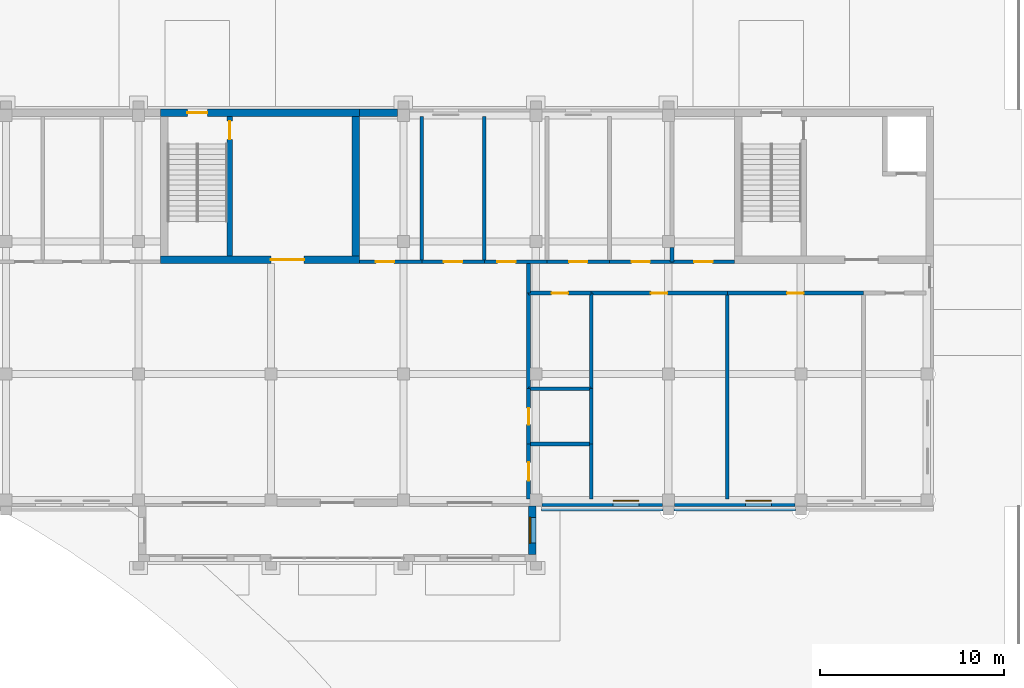
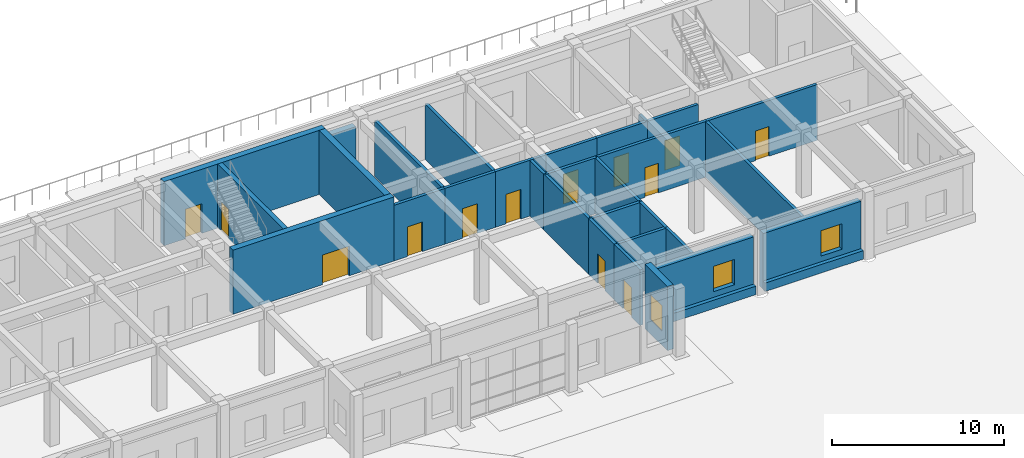
# One storey, part 101 of 131: 32 walls, 14 doors, 3 windows, 17 openings.
"""IFC4 building model written with IfcOpenShell, lengths in metres."""

from ifc_helpers import new_model, si_unit, direction, frame, frame_2d, origin, place, context, subcontext, project, spatial, rectangle, extrude, material, layer, layer_set, type_object, element, fill, save


model = new_model("IFC4")

# Units and contexts
model_context = context("Model", 3, precision=1e-05, world=origin(), true_north=direction((0.0, 1.0)))
body_context = subcontext(model_context, "Body", "Model", "MODEL_VIEW")
ifc_project = project(units=[si_unit("LENGTHUNIT", "METRE"), si_unit("AREAUNIT", "SQUARE_METRE"), si_unit("VOLUMEUNIT", "CUBIC_METRE"), si_unit("PLANEANGLEUNIT", "RADIAN"), si_unit("MASSUNIT", "GRAM", prefix="KILO")], contexts=[model_context])

# Site, building, storey
site_placement = place(None, origin())
site = spatial("IfcSite", under=ifc_project, at=site_placement, CompositionType="ELEMENT")
building_placement = place(site_placement, origin())
building = spatial("IfcBuilding", under=site, at=building_placement, Name="Alderwick Market Hall", CompositionType="ELEMENT")
storey_placement = place(building_placement, frame((0.0, 0.0, 4.800048828125)))
storey = spatial("IfcBuildingStorey", under=building, at=storey_placement, Name="L00", CompositionType="ELEMENT", Elevation=4.800048828125)

# Wall, opening, door
ifc_material_1 = material(Name="Concrete 5000 psi (f'c 35 MPa)", Category="concrete")
ifc_layer_1 = layer(ifc_material_1, 0.39990234375)
ifc_layer_set_1 = layer_set([ifc_layer_1], Name="Concrete 5000 psi (f'c 35 MPa)")
wall_type_1 = type_object("IfcWallType", Name="F Core Wall Concrete 5000 psi 400", PredefinedType="SHEAR", material=ifc_layer_set_1)
wall_1_placement = place(storey_placement, frame((188.39990234375, 151.0, 0.0), z_axis=(0.0, 0.0, 1.0), x_axis=(1.0, 0.0, 0.0)))
wall_1 = element("IfcWall", 1, at=wall_1_placement, inside=storey, type_object=wall_type_1, Name="F.wall.L00.fac.back.06", PredefinedType="SHEAR", context=body_context, shape_type="SweptSolid", body=[
    extrude(rectangle(XDim=10.800048828125, YDim=0.39990234375, at=frame_2d((5.39990234375, 0.0))), origin(), (0.0, 0.0, 1.0), 4.550048828125),
])
opening_1_placement = place(wall_1_placement, frame((1.449951171875, 0.0, 0.0)))
opening_1 = element("IfcOpeningElement", 2, at=opening_1_placement, cuts=wall_1, Name="Opening F-D039", PredefinedType="OPENING", context=body_context, shape_type="SweptSolid", body=[
    extrude(rectangle(XDim=1.10009765625, YDim=2.10009765625, at=frame_2d((0.550048828125, 1.050048828125))), frame((0.0, 0.2099609375, 0.0), z_axis=(0.0, -1.0, 0.0), x_axis=(1.0, 0.0, 0.0)), (0.0, 0.0, 1.0), 0.419921875),
])
ifc_material_2 = material(Name="Steel, insulated", Category="steel")
door_type_1 = type_object("IfcDoorType", Name="F Exit Door FD60 1100x2100", OperationType="NOTDEFINED", PredefinedType="DOOR", material=ifc_material_2)
door_1_placement = place(opening_1_placement, origin())
door_1 = element("IfcDoor", 3, at=door_1_placement, inside=storey, type_object=door_type_1, Name="F.door.L00.039", OperationType="NOTDEFINED", OverallHeight=2.10009765625, OverallWidth=1.10009765625, PredefinedType="DOOR", context=body_context, shape_type="SweptSolid", body=[
    extrude(rectangle(XDim=1.10009765625, YDim=2.10009765625, at=frame_2d((0.550048828125, 1.050048828125))), frame((0.0, 0.02490234375, 0.0), z_axis=(0.0, -1.0, 0.0), x_axis=(1.0, 0.0, 0.0)), (0.0, 0.0, 1.0), 0.050048828125),
])
fill(opening_1, door_1)

wall_2_placement = place(storey_placement, frame((188.39990234375, 143.0, 0.0), z_axis=(0.0, 0.0, 1.0), x_axis=(1.0, 0.0, 0.0)))
wall_2 = element("IfcWall", 4, at=wall_2_placement, inside=storey, type_object=wall_type_1, Name="F.wall.L00.core.B.front.01", PredefinedType="SHEAR", context=body_context, shape_type="SweptSolid", body=[
    extrude(rectangle(XDim=10.800048828125, YDim=0.39990234375, at=frame_2d((5.39990234375, 0.0))), origin(), (0.0, 0.0, 1.0), 4.550048828125),
])
opening_2_placement = place(wall_2_placement, frame((6.0, 0.0, 0.0)))
opening_2 = element("IfcOpeningElement", 5, at=opening_2_placement, cuts=wall_2, Name="Opening F-D038", PredefinedType="OPENING", context=body_context, shape_type="SweptSolid", body=[
    extrude(rectangle(XDim=1.800048828125, YDim=2.10009765625, at=frame_2d((0.89990234375, 1.050048828125))), frame((0.0, 0.2099609375, 0.0), z_axis=(0.0, -1.0, 0.0), x_axis=(1.0, 0.0, 0.0)), (0.0, 0.0, 1.0), 0.419921875),
])
door_type_2 = type_object("IfcDoorType", Name="F Fire Door Pair FD90 1800x2100", OperationType="NOTDEFINED", PredefinedType="DOOR", material=ifc_material_2)
door_2_placement = place(opening_2_placement, origin())
door_2 = element("IfcDoor", 6, at=door_2_placement, inside=storey, type_object=door_type_2, Name="F.door.L00.038", OperationType="NOTDEFINED", OverallHeight=2.10009765625, OverallWidth=1.800048828125, PredefinedType="DOOR", context=body_context, shape_type="SweptSolid", body=[
    extrude(rectangle(XDim=1.800048828125, YDim=2.10009765625, at=frame_2d((0.89990234375, 1.050048828125))), frame((0.0, 0.02490234375, 0.0), z_axis=(0.0, -1.0, 0.0), x_axis=(1.0, 0.0, 0.0)), (0.0, 0.0, 1.0), 0.050048828125),
])
fill(opening_2, door_2)

# Walls
wall_3_placement = place(storey_placement, frame((199.0, 143.199951171875, 0.0), z_axis=(0.0, 0.0, 1.0), x_axis=(0.0, 1.0, 0.0)))
element("IfcWall", 7, at=wall_3_placement, inside=storey, type_object=wall_type_1, Name="F.wall.L00.core.B.east.01", PredefinedType="SHEAR", context=body_context, shape_type="SweptSolid", body=[
    extrude(rectangle(XDim=7.60009765625, YDim=0.39990234375, at=frame_2d((3.800048828125, 0.0))), origin(), (0.0, 0.0, 1.0), 4.550048828125),
])
ifc_material_3 = material(Name="Gypsum board on steel studs", Category="steel")
ifc_layer_2 = layer(ifc_material_3, 0.199951171875)
ifc_layer_set_2 = layer_set([ifc_layer_2], Name="Gypsum board on steel studs")
wall_type_2 = type_object("IfcWallType", Name="F Partition Wall 200", PredefinedType="PARTITIONING", material=ifc_layer_set_2)
for number, where, z_axis, x_axis, name in (
    (8, (208.39990234375, 133.0, 0.0), (0.0, 0.0, 1.0), (1.0, 0.0, 0.0), "F.wall.L00.part.001"),
    (9, (208.39990234375, 136.0, 0.0), (0.0, 0.0, 1.0), (1.0, 0.0, 0.0), "F.wall.L00.part.002"),
):
    element("IfcWall", number, at=place(storey_placement, frame(where, z_axis=z_axis, x_axis=x_axis)), inside=storey, type_object=wall_type_2, Name=name, PredefinedType="PARTITIONING", context=body_context, shape_type="SweptSolid", body=[
        extrude(rectangle(XDim=3.400146484375, YDim=0.199951171875, at=frame_2d((1.7001953125, 0.0))), origin(), (0.0, 0.0, 1.0), 3.949951171875),
    ])

# Wall, opening, door
wall_4_placement = place(storey_placement, frame((208.39990234375, 141.199951171875, 0.0), z_axis=(0.0, 0.0, 1.0), x_axis=(1.0, 0.0, 0.0)))
wall_4 = element("IfcWall", 10, at=wall_4_placement, inside=storey, type_object=wall_type_2, Name="F.wall.L00.part.003", PredefinedType="PARTITIONING", context=body_context, shape_type="SweptSolid", body=[
    extrude(rectangle(XDim=3.400146484375, YDim=0.199951171875, at=frame_2d((1.7001953125, 0.0))), origin(), (0.0, 0.0, 1.0), 3.949951171875),
])
opening_3_placement = place(wall_4_placement, frame((1.25, 0.0, 0.0)))
opening_3 = element("IfcOpeningElement", 11, at=opening_3_placement, cuts=wall_4, Name="Opening F-D046", PredefinedType="OPENING", context=body_context, shape_type="SweptSolid", body=[
    extrude(rectangle(XDim=0.89990234375, YDim=2.10009765625, at=frame_2d((0.449951171875, 1.050048828125))), frame((0.0, 0.10986328125, 0.0), z_axis=(0.0, -1.0, 0.0), x_axis=(1.0, 0.0, 0.0)), (0.0, 0.0, 1.0), 0.219970703125),
])
ifc_material_4 = material(Name="Timber, solid core", Category="wood")
door_type_3 = type_object("IfcDoorType", Name="F Door 900x2100", OperationType="NOTDEFINED", PredefinedType="DOOR", material=ifc_material_4)
door_3_placement = place(opening_3_placement, origin())
door_3 = element("IfcDoor", 12, at=door_3_placement, inside=storey, type_object=door_type_3, Name="F.door.L00.046", OperationType="NOTDEFINED", OverallHeight=2.10009765625, OverallWidth=0.89990234375, PredefinedType="DOOR", context=body_context, shape_type="SweptSolid", body=[
    extrude(rectangle(XDim=0.89990234375, YDim=2.10009765625, at=frame_2d((0.449951171875, 1.050048828125))), frame((0.0, 0.02490234375, 0.0), z_axis=(0.0, -1.0, 0.0), x_axis=(1.0, 0.0, 0.0)), (0.0, 0.0, 1.0), 0.050048828125),
])
fill(opening_3, door_3)

wall_5_placement = place(storey_placement, frame((211.800048828125, 141.199951171875, 0.0), z_axis=(0.0, 0.0, 1.0), x_axis=(1.0, 0.0, 0.0)))
wall_5 = element("IfcWall", 13, at=wall_5_placement, inside=storey, type_object=wall_type_2, Name="F.wall.L00.part.004", PredefinedType="PARTITIONING", context=body_context, shape_type="SweptSolid", body=[
    extrude(rectangle(XDim=7.39990234375, YDim=0.199951171875, at=frame_2d((3.699951171875, 0.0))), origin(), (0.0, 0.0, 1.0), 3.949951171875),
])
opening_4_placement = place(wall_5_placement, frame((3.25, 0.0, 0.0)))
opening_4 = element("IfcOpeningElement", 14, at=opening_4_placement, cuts=wall_5, Name="Opening F-D047", PredefinedType="OPENING", context=body_context, shape_type="SweptSolid", body=[
    extrude(rectangle(XDim=0.89990234375, YDim=2.10009765625, at=frame_2d((0.449951171875, 1.050048828125))), frame((0.0, 0.10986328125, 0.0), z_axis=(0.0, -1.0, 0.0), x_axis=(1.0, 0.0, 0.0)), (0.0, 0.0, 1.0), 0.219970703125),
])
door_4_placement = place(opening_4_placement, origin())
door_4 = element("IfcDoor", 15, at=door_4_placement, inside=storey, type_object=door_type_3, Name="F.door.L00.047", OperationType="NOTDEFINED", OverallHeight=2.10009765625, OverallWidth=0.89990234375, PredefinedType="DOOR", context=body_context, shape_type="SweptSolid", body=[
    extrude(rectangle(XDim=0.89990234375, YDim=2.10009765625, at=frame_2d((0.449951171875, 1.050048828125))), frame((0.0, 0.02490234375, 0.0), z_axis=(0.0, -1.0, 0.0), x_axis=(1.0, 0.0, 0.0)), (0.0, 0.0, 1.0), 0.050048828125),
])
fill(opening_4, door_4)

wall_6_placement = place(storey_placement, frame((219.199951171875, 141.199951171875, 0.0), z_axis=(0.0, 0.0, 1.0), x_axis=(1.0, 0.0, 0.0)))
wall_6 = element("IfcWall", 16, at=wall_6_placement, inside=storey, type_object=wall_type_2, Name="F.wall.L00.part.005", PredefinedType="PARTITIONING", context=body_context, shape_type="SweptSolid", body=[
    extrude(rectangle(XDim=7.400146484375, YDim=0.199951171875, at=frame_2d((3.7001953125, 0.0))), origin(), (0.0, 0.0, 1.0), 3.949951171875),
])
opening_5_placement = place(wall_6_placement, frame((3.25, 0.0, 0.0)))
opening_5 = element("IfcOpeningElement", 17, at=opening_5_placement, cuts=wall_6, Name="Opening F-D048", PredefinedType="OPENING", context=body_context, shape_type="SweptSolid", body=[
    extrude(rectangle(XDim=0.89990234375, YDim=2.10009765625, at=frame_2d((0.449951171875, 1.050048828125))), frame((0.0, 0.10986328125, 0.0), z_axis=(0.0, -1.0, 0.0), x_axis=(1.0, 0.0, 0.0)), (0.0, 0.0, 1.0), 0.219970703125),
])
door_5_placement = place(opening_5_placement, origin())
door_5 = element("IfcDoor", 18, at=door_5_placement, inside=storey, type_object=door_type_3, Name="F.door.L00.048", OperationType="NOTDEFINED", OverallHeight=2.10009765625, OverallWidth=0.89990234375, PredefinedType="DOOR", context=body_context, shape_type="SweptSolid", body=[
    extrude(rectangle(XDim=0.89990234375, YDim=2.10009765625, at=frame_2d((0.449951171875, 1.050048828125))), frame((0.0, 0.02490234375, 0.0), z_axis=(0.0, -1.0, 0.0), x_axis=(1.0, 0.0, 0.0)), (0.0, 0.0, 1.0), 0.050048828125),
])
fill(opening_5, door_5)

wall_7_placement = place(storey_placement, frame((199.199951171875, 142.89990234375, 0.0), z_axis=(0.0, 0.0, 1.0), x_axis=(1.0, 0.0, 0.0)))
wall_7 = element("IfcWall", 19, at=wall_7_placement, inside=storey, type_object=wall_type_2, Name="F.wall.L00.part.013", PredefinedType="PARTITIONING", context=body_context, shape_type="SweptSolid", body=[
    extrude(rectangle(XDim=3.400146484375, YDim=0.199951171875, at=frame_2d((1.7001953125, 0.0))), origin(), (0.0, 0.0, 1.0), 3.949951171875),
])
opening_6_placement = place(wall_7_placement, frame((0.89990234375, 0.0, 0.0)))
opening_6 = element("IfcOpeningElement", 20, at=opening_6_placement, cuts=wall_7, Name="Opening F-D056", PredefinedType="OPENING", context=body_context, shape_type="SweptSolid", body=[
    extrude(rectangle(XDim=1.0, YDim=2.10009765625, at=frame_2d((0.5, 1.050048828125))), frame((0.0, 0.10986328125, 0.0), z_axis=(0.0, -1.0, 0.0), x_axis=(1.0, 0.0, 0.0)), (0.0, 0.0, 1.0), 0.219970703125),
])
door_type_4 = type_object("IfcDoorType", Name="F Door 1000x2100", OperationType="NOTDEFINED", PredefinedType="DOOR", material=ifc_material_4)
door_6_placement = place(opening_6_placement, origin())
door_6 = element("IfcDoor", 21, at=door_6_placement, inside=storey, type_object=door_type_4, Name="F.door.L00.056", OperationType="NOTDEFINED", OverallHeight=2.10009765625, OverallWidth=1.0, PredefinedType="DOOR", context=body_context, shape_type="SweptSolid", body=[
    extrude(rectangle(XDim=1.0, YDim=2.10009765625, at=frame_2d((0.5, 1.050048828125))), frame((0.0, 0.02490234375, 0.0), z_axis=(0.0, -1.0, 0.0), x_axis=(1.0, 0.0, 0.0)), (0.0, 0.0, 1.0), 0.050048828125),
])
fill(opening_6, door_6)

wall_8_placement = place(storey_placement, frame((202.60009765625, 142.89990234375, 0.0), z_axis=(0.0, 0.0, 1.0), x_axis=(1.0, 0.0, 0.0)))
wall_8 = element("IfcWall", 22, at=wall_8_placement, inside=storey, type_object=wall_type_2, Name="F.wall.L00.part.014", PredefinedType="PARTITIONING", context=body_context, shape_type="SweptSolid", body=[
    extrude(rectangle(XDim=3.39990234375, YDim=0.199951171875, at=frame_2d((1.699951171875, 0.0))), origin(), (0.0, 0.0, 1.0), 3.949951171875),
])
opening_7_placement = place(wall_8_placement, frame((1.199951171875, 0.0, 0.0)))
opening_7 = element("IfcOpeningElement", 23, at=opening_7_placement, cuts=wall_8, Name="Opening F-D057", PredefinedType="OPENING", context=body_context, shape_type="SweptSolid", body=[
    extrude(rectangle(XDim=1.0, YDim=2.10009765625, at=frame_2d((0.5, 1.050048828125))), frame((0.0, 0.10986328125, 0.0), z_axis=(0.0, -1.0, 0.0), x_axis=(1.0, 0.0, 0.0)), (0.0, 0.0, 1.0), 0.219970703125),
])
door_7_placement = place(opening_7_placement, origin())
door_7 = element("IfcDoor", 24, at=door_7_placement, inside=storey, type_object=door_type_4, Name="F.door.L00.057", OperationType="NOTDEFINED", OverallHeight=2.10009765625, OverallWidth=1.0, PredefinedType="DOOR", context=body_context, shape_type="SweptSolid", body=[
    extrude(rectangle(XDim=1.0, YDim=2.10009765625, at=frame_2d((0.5, 1.050048828125))), frame((0.0, 0.02490234375, 0.0), z_axis=(0.0, -1.0, 0.0), x_axis=(1.0, 0.0, 0.0)), (0.0, 0.0, 1.0), 0.050048828125),
])
fill(opening_7, door_7)

wall_9_placement = place(storey_placement, frame((206.0, 142.89990234375, 0.0), z_axis=(0.0, 0.0, 1.0), x_axis=(1.0, 0.0, 0.0)))
wall_9 = element("IfcWall", 25, at=wall_9_placement, inside=storey, type_object=wall_type_2, Name="F.wall.L00.part.015", PredefinedType="PARTITIONING", context=body_context, shape_type="SweptSolid", body=[
    extrude(rectangle(XDim=3.39990234375, YDim=0.199951171875, at=frame_2d((1.699951171875, 0.0))), origin(), (0.0, 0.0, 1.0), 3.949951171875),
])
opening_8_placement = place(wall_9_placement, frame((0.699951171875, 0.0, 0.0)))
opening_8 = element("IfcOpeningElement", 26, at=opening_8_placement, cuts=wall_9, Name="Opening F-D058", PredefinedType="OPENING", context=body_context, shape_type="SweptSolid", body=[
    extrude(rectangle(XDim=1.0, YDim=2.10009765625, at=frame_2d((0.5, 1.050048828125))), frame((0.0, 0.10986328125, 0.0), z_axis=(0.0, -1.0, 0.0), x_axis=(1.0, 0.0, 0.0)), (0.0, 0.0, 1.0), 0.219970703125),
])
door_8_placement = place(opening_8_placement, origin())
door_8 = element("IfcDoor", 27, at=door_8_placement, inside=storey, type_object=door_type_4, Name="F.door.L00.058", OperationType="NOTDEFINED", OverallHeight=2.10009765625, OverallWidth=1.0, PredefinedType="DOOR", context=body_context, shape_type="SweptSolid", body=[
    extrude(rectangle(XDim=1.0, YDim=2.10009765625, at=frame_2d((0.5, 1.050048828125))), frame((0.0, 0.02490234375, 0.0), z_axis=(0.0, -1.0, 0.0), x_axis=(1.0, 0.0, 0.0)), (0.0, 0.0, 1.0), 0.050048828125),
])
fill(opening_8, door_8)

wall_10_placement = place(storey_placement, frame((209.39990234375, 142.89990234375, 0.0), z_axis=(0.0, 0.0, 1.0), x_axis=(1.0, 0.0, 0.0)))
wall_10 = element("IfcWall", 28, at=wall_10_placement, inside=storey, type_object=wall_type_2, Name="F.wall.L00.part.016", PredefinedType="PARTITIONING", context=body_context, shape_type="SweptSolid", body=[
    extrude(rectangle(XDim=3.400146484375, YDim=0.199951171875, at=frame_2d((1.7001953125, 0.0))), origin(), (0.0, 0.0, 1.0), 3.949951171875),
])
opening_9_placement = place(wall_10_placement, frame((1.199951171875, 0.0, 0.0)))
opening_9 = element("IfcOpeningElement", 29, at=opening_9_placement, cuts=wall_10, Name="Opening F-D059", PredefinedType="OPENING", context=body_context, shape_type="SweptSolid", body=[
    extrude(rectangle(XDim=1.0, YDim=2.10009765625, at=frame_2d((0.5, 1.050048828125))), frame((0.0, 0.10986328125, 0.0), z_axis=(0.0, -1.0, 0.0), x_axis=(1.0, 0.0, 0.0)), (0.0, 0.0, 1.0), 0.219970703125),
])
door_9_placement = place(opening_9_placement, origin())
door_9 = element("IfcDoor", 30, at=door_9_placement, inside=storey, type_object=door_type_4, Name="F.door.L00.059", OperationType="NOTDEFINED", OverallHeight=2.10009765625, OverallWidth=1.0, PredefinedType="DOOR", context=body_context, shape_type="SweptSolid", body=[
    extrude(rectangle(XDim=1.0, YDim=2.10009765625, at=frame_2d((0.5, 1.050048828125))), frame((0.0, 0.02490234375, 0.0), z_axis=(0.0, -1.0, 0.0), x_axis=(1.0, 0.0, 0.0)), (0.0, 0.0, 1.0), 0.050048828125),
])
fill(opening_9, door_9)

wall_11_placement = place(storey_placement, frame((212.800048828125, 142.89990234375, 0.0), z_axis=(0.0, 0.0, 1.0), x_axis=(1.0, 0.0, 0.0)))
wall_11 = element("IfcWall", 31, at=wall_11_placement, inside=storey, type_object=wall_type_2, Name="F.wall.L00.part.017", PredefinedType="PARTITIONING", context=body_context, shape_type="SweptSolid", body=[
    extrude(rectangle(XDim=3.39990234375, YDim=0.199951171875, at=frame_2d((1.699951171875, 0.0))), origin(), (0.0, 0.0, 1.0), 3.949951171875),
])
opening_10_placement = place(wall_11_placement, frame((1.199951171875, 0.0, 0.0)))
opening_10 = element("IfcOpeningElement", 32, at=opening_10_placement, cuts=wall_11, Name="Opening F-D060", PredefinedType="OPENING", context=body_context, shape_type="SweptSolid", body=[
    extrude(rectangle(XDim=1.0, YDim=2.10009765625, at=frame_2d((0.5, 1.050048828125))), frame((0.0, 0.10986328125, 0.0), z_axis=(0.0, -1.0, 0.0), x_axis=(1.0, 0.0, 0.0)), (0.0, 0.0, 1.0), 0.219970703125),
])
door_10_placement = place(opening_10_placement, origin())
door_10 = element("IfcDoor", 33, at=door_10_placement, inside=storey, type_object=door_type_4, Name="F.door.L00.060", OperationType="NOTDEFINED", OverallHeight=2.10009765625, OverallWidth=1.0, PredefinedType="DOOR", context=body_context, shape_type="SweptSolid", body=[
    extrude(rectangle(XDim=1.0, YDim=2.10009765625, at=frame_2d((0.5, 1.050048828125))), frame((0.0, 0.02490234375, 0.0), z_axis=(0.0, -1.0, 0.0), x_axis=(1.0, 0.0, 0.0)), (0.0, 0.0, 1.0), 0.050048828125),
])
fill(opening_10, door_10)

wall_12_placement = place(storey_placement, frame((216.199951171875, 142.89990234375, 0.0), z_axis=(0.0, 0.0, 1.0), x_axis=(1.0, 0.0, 0.0)))
wall_12 = element("IfcWall", 34, at=wall_12_placement, inside=storey, type_object=wall_type_2, Name="F.wall.L00.part.018", PredefinedType="PARTITIONING", context=body_context, shape_type="SweptSolid", body=[
    extrude(rectangle(XDim=3.400146484375, YDim=0.199951171875, at=frame_2d((1.7001953125, 0.0))), origin(), (0.0, 0.0, 1.0), 3.949951171875),
])
opening_11_placement = place(wall_12_placement, frame((1.199951171875, 0.0, 0.0)))
opening_11 = element("IfcOpeningElement", 35, at=opening_11_placement, cuts=wall_12, Name="Opening F-D061", PredefinedType="OPENING", context=body_context, shape_type="SweptSolid", body=[
    extrude(rectangle(XDim=1.0, YDim=2.10009765625, at=frame_2d((0.5, 1.050048828125))), frame((0.0, 0.10986328125, 0.0), z_axis=(0.0, -1.0, 0.0), x_axis=(1.0, 0.0, 0.0)), (0.0, 0.0, 1.0), 0.219970703125),
])
door_11_placement = place(opening_11_placement, origin())
door_11 = element("IfcDoor", 36, at=door_11_placement, inside=storey, type_object=door_type_4, Name="F.door.L00.061", OperationType="NOTDEFINED", OverallHeight=2.10009765625, OverallWidth=1.0, PredefinedType="DOOR", context=body_context, shape_type="SweptSolid", body=[
    extrude(rectangle(XDim=1.0, YDim=2.10009765625, at=frame_2d((0.5, 1.050048828125))), frame((0.0, 0.02490234375, 0.0), z_axis=(0.0, -1.0, 0.0), x_axis=(1.0, 0.0, 0.0)), (0.0, 0.0, 1.0), 0.050048828125),
])
fill(opening_11, door_11)

# Walls
for number, where, z_axis, x_axis, name in (
    (37, (202.60009765625, 142.89990234375, 0.0), (0.0, 0.0, 1.0), (0.0, 1.0, 0.0), "F.wall.L00.part.024"),
    (38, (206.0, 142.89990234375, 0.0), (0.0, 0.0, 1.0), (0.0, 1.0, 0.0), "F.wall.L00.part.025"),
):
    element("IfcWall", number, at=place(storey_placement, frame(where, z_axis=z_axis, x_axis=x_axis)), inside=storey, type_object=wall_type_2, Name=name, PredefinedType="PARTITIONING", context=body_context, shape_type="SweptSolid", body=[
        extrude(rectangle(XDim=7.900146484375, YDim=0.199951171875, at=frame_2d((3.9501953125, 0.0))), origin(), (0.0, 0.0, 1.0), 3.949951171875),
    ])

# Wall, opening, door
wall_13_placement = place(storey_placement, frame((208.39990234375, 130.0, 0.0), z_axis=(0.0, 0.0, 1.0), x_axis=(0.0, 1.0, 0.0)))
wall_13 = element("IfcWall", 39, at=wall_13_placement, inside=storey, type_object=wall_type_2, Name="F.wall.L00.part.026", PredefinedType="PARTITIONING", context=body_context, shape_type="SweptSolid", body=[
    extrude(rectangle(XDim=3.0, YDim=0.199951171875, at=frame_2d((1.5, 0.0))), origin(), (0.0, 0.0, 1.0), 3.949951171875),
])
opening_12_placement = place(wall_13_placement, frame((1.0, 0.0, 0.0)))
opening_12 = element("IfcOpeningElement", 40, at=opening_12_placement, cuts=wall_13, Name="Opening F-D044", PredefinedType="OPENING", context=body_context, shape_type="SweptSolid", body=[
    extrude(rectangle(XDim=1.0, YDim=2.10009765625, at=frame_2d((0.5, 1.050048828125))), frame((0.0, 0.10986328125, 0.0), z_axis=(0.0, -1.0, 0.0), x_axis=(1.0, 0.0, 0.0)), (0.0, 0.0, 1.0), 0.219970703125),
])
door_12_placement = place(opening_12_placement, origin())
door_12 = element("IfcDoor", 41, at=door_12_placement, inside=storey, type_object=door_type_4, Name="F.door.L00.044", OperationType="NOTDEFINED", OverallHeight=2.10009765625, OverallWidth=1.0, PredefinedType="DOOR", context=body_context, shape_type="SweptSolid", body=[
    extrude(rectangle(XDim=1.0, YDim=2.10009765625, at=frame_2d((0.5, 1.050048828125))), frame((0.0, 0.02490234375, 0.0), z_axis=(0.0, -1.0, 0.0), x_axis=(1.0, 0.0, 0.0)), (0.0, 0.0, 1.0), 0.050048828125),
])
fill(opening_12, door_12)

wall_14_placement = place(storey_placement, frame((208.39990234375, 133.0, 0.0), z_axis=(0.0, 0.0, 1.0), x_axis=(0.0, 1.0, 0.0)))
wall_14 = element("IfcWall", 42, at=wall_14_placement, inside=storey, type_object=wall_type_2, Name="F.wall.L00.part.027", PredefinedType="PARTITIONING", context=body_context, shape_type="SweptSolid", body=[
    extrude(rectangle(XDim=3.0, YDim=0.199951171875, at=frame_2d((1.5, 0.0))), origin(), (0.0, 0.0, 1.0), 3.949951171875),
])
opening_13_placement = place(wall_14_placement, frame((1.050048828125, 0.0, 0.0)))
opening_13 = element("IfcOpeningElement", 43, at=opening_13_placement, cuts=wall_14, Name="Opening F-D045", PredefinedType="OPENING", context=body_context, shape_type="SweptSolid", body=[
    extrude(rectangle(XDim=0.89990234375, YDim=2.10009765625, at=frame_2d((0.449951171875, 1.050048828125))), frame((0.0, 0.10986328125, 0.0), z_axis=(0.0, -1.0, 0.0), x_axis=(1.0, 0.0, 0.0)), (0.0, 0.0, 1.0), 0.219970703125),
])
door_13_placement = place(opening_13_placement, origin())
door_13 = element("IfcDoor", 44, at=door_13_placement, inside=storey, type_object=door_type_3, Name="F.door.L00.045", OperationType="NOTDEFINED", OverallHeight=2.10009765625, OverallWidth=0.89990234375, PredefinedType="DOOR", context=body_context, shape_type="SweptSolid", body=[
    extrude(rectangle(XDim=0.89990234375, YDim=2.10009765625, at=frame_2d((0.449951171875, 1.050048828125))), frame((0.0, 0.02490234375, 0.0), z_axis=(0.0, -1.0, 0.0), x_axis=(1.0, 0.0, 0.0)), (0.0, 0.0, 1.0), 0.050048828125),
])
fill(opening_13, door_13)

# Walls
wall_15_placement = place(storey_placement, frame((208.39990234375, 136.0, 0.0), z_axis=(0.0, 0.0, 1.0), x_axis=(0.0, 1.0, 0.0)))
element("IfcWall", 45, at=wall_15_placement, inside=storey, type_object=wall_type_2, Name="F.wall.L00.part.028", PredefinedType="PARTITIONING", context=body_context, shape_type="SweptSolid", body=[
    extrude(rectangle(XDim=5.199951171875, YDim=0.199951171875, at=frame_2d((2.60009765625, 0.0))), origin(), (0.0, 0.0, 1.0), 3.949951171875),
])
wall_16_placement = place(storey_placement, frame((208.39990234375, 141.199951171875, 0.0), z_axis=(0.0, 0.0, 1.0), x_axis=(0.0, 1.0, 0.0)))
element("IfcWall", 46, at=wall_16_placement, inside=storey, type_object=wall_type_2, Name="F.wall.L00.part.029", PredefinedType="PARTITIONING", context=body_context, shape_type="SweptSolid", body=[
    extrude(rectangle(XDim=1.60009765625, YDim=0.199951171875, at=frame_2d((0.800048828125, 0.0))), origin(), (0.0, 0.0, 1.0), 3.949951171875),
])
for number, where, z_axis, x_axis, name in (
    (47, (211.800048828125, 130.0, 0.0), (0.0, 0.0, 1.0), (0.0, 1.0, 0.0), "F.wall.L00.part.031"),
    (48, (211.800048828125, 133.0, 0.0), (0.0, 0.0, 1.0), (0.0, 1.0, 0.0), "F.wall.L00.part.032"),
):
    element("IfcWall", number, at=place(storey_placement, frame(where, z_axis=z_axis, x_axis=x_axis)), inside=storey, type_object=wall_type_2, Name=name, PredefinedType="PARTITIONING", context=body_context, shape_type="SweptSolid", body=[
        extrude(rectangle(XDim=3.0, YDim=0.199951171875, at=frame_2d((1.5, 0.0))), origin(), (0.0, 0.0, 1.0), 3.949951171875),
    ])
wall_17_placement = place(storey_placement, frame((211.800048828125, 136.0, 0.0), z_axis=(0.0, 0.0, 1.0), x_axis=(0.0, 1.0, 0.0)))
element("IfcWall", 49, at=wall_17_placement, inside=storey, type_object=wall_type_2, Name="F.wall.L00.part.033", PredefinedType="PARTITIONING", context=body_context, shape_type="SweptSolid", body=[
    extrude(rectangle(XDim=5.199951171875, YDim=0.199951171875, at=frame_2d((2.60009765625, 0.0))), origin(), (0.0, 0.0, 1.0), 3.949951171875),
])
wall_18_placement = place(storey_placement, frame((216.199951171875, 142.89990234375, 0.0), z_axis=(0.0, 0.0, 1.0), x_axis=(0.0, 1.0, 0.0)))
element("IfcWall", 50, at=wall_18_placement, inside=storey, type_object=wall_type_2, Name="F.wall.L00.part.035", PredefinedType="PARTITIONING", context=body_context, shape_type="SweptSolid", body=[
    extrude(rectangle(XDim=0.775146484375, YDim=0.199951171875, at=frame_2d((0.3876953125, 0.0))), origin(), (0.0, 0.0, 1.0), 3.949951171875),
])
wall_19_placement = place(storey_placement, frame((219.199951171875, 130.0, 0.0), z_axis=(0.0, 0.0, 1.0), x_axis=(0.0, 1.0, 0.0)))
element("IfcWall", 51, at=wall_19_placement, inside=storey, type_object=wall_type_2, Name="F.wall.L00.part.037", PredefinedType="PARTITIONING", context=body_context, shape_type="SweptSolid", body=[
    extrude(rectangle(XDim=11.199951171875, YDim=0.199951171875, at=frame_2d((5.60009765625, 0.0))), origin(), (0.0, 0.0, 1.0), 3.949951171875),
])
ifc_material_5 = material(Name="Cast stone 5000 psi", Category="masonry")
ifc_layer_3 = layer(ifc_material_5, 0.25)
ifc_layer_set_3 = layer_set([ifc_layer_3], Name="Cast stone 5000 psi")
wall_type_3 = type_object("IfcWallType", Name="F Plinth Band Cast Stone 250x600", PredefinedType="SOLIDWALL", material=ifc_layer_set_3)
for number, where, z_axis, x_axis, name in (
    (52, (215.699951171875, 129.47509765625, 0.0), (0.0, 0.0, 1.0), (-1.0, 0.0, 0.0), "F.wall.L00.plinth.front.05"),
    (53, (222.89990234375, 129.47509765625, 0.0), (0.0, 0.0, 1.0), (-1.0, 0.0, 0.0), "F.wall.L00.plinth.front.06"),
):
    element("IfcWall", number, at=place(storey_placement, frame(where, z_axis=z_axis, x_axis=x_axis)), inside=storey, type_object=wall_type_3, Name=name, PredefinedType="SOLIDWALL", context=body_context, shape_type="SweptSolid", body=[
        extrude(rectangle(XDim=6.599853515625, YDim=0.25, at=frame_2d((3.2998046875, 0.0))), origin(), (0.0, 0.0, 1.0), 0.599853515625),
    ])

# Wall, opening, door
ifc_layer_4 = layer(ifc_material_1, 0.300048828125)
ifc_layer_set_4 = layer_set([ifc_layer_4], Name="Concrete 5000 psi (f'c 35 MPa)")
wall_type_4 = type_object("IfcWallType", Name="F Stair Divider Wall Concrete 5000 psi 300", PredefinedType="SHEAR", material=ifc_layer_set_4)
wall_20_placement = place(storey_placement, frame((192.14990234375, 143.199951171875, 0.0), z_axis=(0.0, 0.0, 1.0), x_axis=(0.0, 1.0, 0.0)))
wall_20 = element("IfcWall", 54, at=wall_20_placement, inside=storey, type_object=wall_type_4, Name="F.wall.L00.core.B.div.01", PredefinedType="SHEAR", context=body_context, shape_type="SweptSolid", body=[
    extrude(rectangle(XDim=7.60009765625, YDim=0.300048828125, at=frame_2d((3.800048828125, 0.0))), origin(), (0.0, 0.0, 1.0), 4.550048828125),
])
opening_14_placement = place(wall_20_placement, frame((6.35009765625, 0.0, 0.0)))
opening_14 = element("IfcOpeningElement", 55, at=opening_14_placement, cuts=wall_20, Name="Opening F-D037", PredefinedType="OPENING", context=body_context, shape_type="SweptSolid", body=[
    extrude(rectangle(XDim=1.0, YDim=2.10009765625, at=frame_2d((0.5, 1.050048828125))), frame((0.0, 0.159912109375, 0.0), z_axis=(0.0, -1.0, 0.0), x_axis=(1.0, 0.0, 0.0)), (0.0, 0.0, 1.0), 0.320068359375),
])
door_type_5 = type_object("IfcDoorType", Name="F Fire Door FD90 1000x2100", OperationType="NOTDEFINED", PredefinedType="DOOR", material=ifc_material_2)
door_14_placement = place(opening_14_placement, origin())
door_14 = element("IfcDoor", 56, at=door_14_placement, inside=storey, type_object=door_type_5, Name="F.door.L00.037", OperationType="NOTDEFINED", OverallHeight=2.10009765625, OverallWidth=1.0, PredefinedType="DOOR", context=body_context, shape_type="SweptSolid", body=[
    extrude(rectangle(XDim=1.0, YDim=2.10009765625, at=frame_2d((0.5, 1.050048828125))), frame((0.0, 0.02490234375, 0.0), z_axis=(0.0, -1.0, 0.0), x_axis=(1.0, 0.0, 0.0)), (0.0, 0.0, 1.0), 0.050048828125),
])
fill(opening_14, door_14)

# Wall, opening, window
ifc_material_6 = material(Name="Glazed terra-cotta ASTM C126 Grade S")
ifc_layer_5 = layer(ifc_material_6, 0.39990234375)
ifc_layer_set_5 = layer_set([ifc_layer_5], Name="Glazed terra-cotta ASTM C126 Grade S")
wall_type_5 = type_object("IfcWallType", Name="F Terra-cotta Faced Wall 400", PredefinedType="SOLIDWALL", material=ifc_layer_set_5)
wall_21_placement = place(storey_placement, frame((215.675048828125, 129.800048828125, 0.0), z_axis=(0.0, 0.0, 1.0), x_axis=(-1.0, 0.0, 0.0)))
wall_21 = element("IfcWall", 57, at=wall_21_placement, inside=storey, type_object=wall_type_5, Name="F.wall.L00.fac.front.08", PredefinedType="SOLIDWALL", context=body_context, shape_type="SweptSolid", body=[
    extrude(rectangle(XDim=6.550048828125, YDim=0.39990234375, at=frame_2d((3.27490234375, 0.0))), origin(), (0.0, 0.0, 1.0), 3.949951171875),
])
opening_15_placement = place(wall_21_placement, frame((1.27490234375, 0.0, 1.0)))
opening_15 = element("IfcOpeningElement", 58, at=opening_15_placement, cuts=wall_21, Name="Opening F-W009", PredefinedType="OPENING", context=body_context, shape_type="SweptSolid", body=[
    extrude(rectangle(XDim=1.39990234375, YDim=1.800048828125, at=frame_2d((0.699951171875, 0.89990234375))), frame((0.0, 0.2099609375, 0.0), z_axis=(0.0, -1.0, 0.0), x_axis=(1.0, 0.0, 0.0)), (0.0, 0.0, 1.0), 0.419921875),
])
ifc_material_7 = material(Name="Aluminium frame, double glazing", Category="aluminium")
window_type = type_object("IfcWindowType", Name="F Base Window 1400x1800", PartitioningType="SINGLE_PANEL", PredefinedType="WINDOW", material=ifc_material_7)
window_1_placement = place(opening_15_placement, origin())
window_1 = element("IfcWindow", 59, at=window_1_placement, inside=storey, type_object=window_type, Name="F.win.L00.009", OverallHeight=1.800048828125, OverallWidth=1.39990234375, PartitioningType="SINGLE_PANEL", PredefinedType="WINDOW", context=body_context, shape_type="SweptSolid", body=[
    extrude(rectangle(XDim=1.39990234375, YDim=1.800048828125, at=frame_2d((0.699951171875, 0.89990234375))), frame((0.0, -0.090087890625, 0.0), z_axis=(0.0, -1.0, 0.0), x_axis=(1.0, 0.0, 0.0)), (0.0, 0.0, 1.0), 0.06005859375),
])
fill(opening_15, window_1)

wall_22_placement = place(storey_placement, frame((222.875, 129.800048828125, 0.0), z_axis=(0.0, 0.0, 1.0), x_axis=(-1.0, 0.0, 0.0)))
wall_22 = element("IfcWall", 60, at=wall_22_placement, inside=storey, type_object=wall_type_5, Name="F.wall.L00.fac.front.09", PredefinedType="SOLIDWALL", context=body_context, shape_type="SweptSolid", body=[
    extrude(rectangle(XDim=6.550048828125, YDim=0.39990234375, at=frame_2d((3.27490234375, 0.0))), origin(), (0.0, 0.0, 1.0), 3.949951171875),
])
opening_16_placement = place(wall_22_placement, frame((1.27490234375, 0.0, 1.0)))
opening_16 = element("IfcOpeningElement", 61, at=opening_16_placement, cuts=wall_22, Name="Opening F-W010", PredefinedType="OPENING", context=body_context, shape_type="SweptSolid", body=[
    extrude(rectangle(XDim=1.39990234375, YDim=1.800048828125, at=frame_2d((0.699951171875, 0.89990234375))), frame((0.0, 0.2099609375, 0.0), z_axis=(0.0, -1.0, 0.0), x_axis=(1.0, 0.0, 0.0)), (0.0, 0.0, 1.0), 0.419921875),
])
window_2_placement = place(opening_16_placement, origin())
window_2 = element("IfcWindow", 62, at=window_2_placement, inside=storey, type_object=window_type, Name="F.win.L00.010", OverallHeight=1.800048828125, OverallWidth=1.39990234375, PartitioningType="SINGLE_PANEL", PredefinedType="WINDOW", context=body_context, shape_type="SweptSolid", body=[
    extrude(rectangle(XDim=1.39990234375, YDim=1.800048828125, at=frame_2d((0.699951171875, 0.89990234375))), frame((0.0, -0.090087890625, 0.0), z_axis=(0.0, -1.0, 0.0), x_axis=(1.0, 0.0, 0.0)), (0.0, 0.0, 1.0), 0.06005859375),
])
fill(opening_16, window_2)

# Wall
wall_23_placement = place(storey_placement, frame((199.199951171875, 151.0, 0.0), z_axis=(0.0, 0.0, 1.0), x_axis=(1.0, 0.0, 0.0)))
element("IfcWall", 63, at=wall_23_placement, inside=storey, type_object=wall_type_5, Name="F.wall.L00.fac.back.07", PredefinedType="SOLIDWALL", context=body_context, shape_type="SweptSolid", body=[
    extrude(rectangle(XDim=2.074951171875, YDim=0.39990234375, at=frame_2d((1.03759765625, 0.0))), origin(), (0.0, 0.0, 1.0), 3.949951171875),
])

# Wall, opening, window
wall_24_placement = place(storey_placement, frame((208.60009765625, 129.625, 0.0), z_axis=(0.0, 0.0, 1.0), x_axis=(0.0, -1.0, 0.0)))
wall_24 = element("IfcWall", 64, at=wall_24_placement, inside=storey, type_object=wall_type_5, Name="F.wall.L00.pav1.east.01", PredefinedType="SOLIDWALL", context=body_context, shape_type="SweptSolid", body=[
    extrude(rectangle(XDim=2.625, YDim=0.39990234375, at=frame_2d((1.3125, 0.0))), origin(), (0.0, 0.0, 1.0), 4.550048828125),
])
opening_17_placement = place(wall_24_placement, frame((0.612548828125, 0.0, 1.0)))
opening_17 = element("IfcOpeningElement", 65, at=opening_17_placement, cuts=wall_24, Name="Opening F-W065", PredefinedType="OPENING", context=body_context, shape_type="SweptSolid", body=[
    extrude(rectangle(XDim=1.39990234375, YDim=1.800048828125, at=frame_2d((0.699951171875, 0.89990234375))), frame((0.0, 0.2099609375, 0.0), z_axis=(0.0, -1.0, 0.0), x_axis=(1.0, 0.0, 0.0)), (0.0, 0.0, 1.0), 0.419921875),
])
window_3_placement = place(opening_17_placement, origin())
window_3 = element("IfcWindow", 66, at=window_3_placement, inside=storey, type_object=window_type, Name="F.win.L00.065", OverallHeight=1.800048828125, OverallWidth=1.39990234375, PartitioningType="SINGLE_PANEL", PredefinedType="WINDOW", context=body_context, shape_type="SweptSolid", body=[
    extrude(rectangle(XDim=1.39990234375, YDim=1.800048828125, at=frame_2d((0.699951171875, 0.89990234375))), frame((0.0, -0.090087890625, 0.0), z_axis=(0.0, -1.0, 0.0), x_axis=(1.0, 0.0, 0.0)), (0.0, 0.0, 1.0), 0.06005859375),
])
fill(opening_17, window_3)

save(model, "model.ifc")
